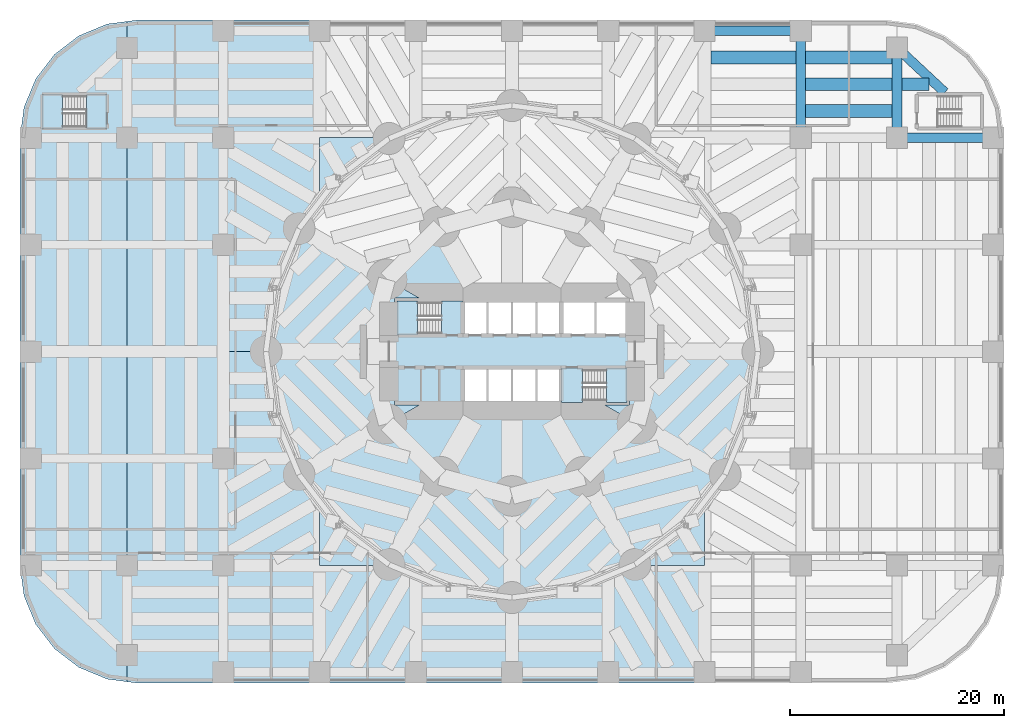
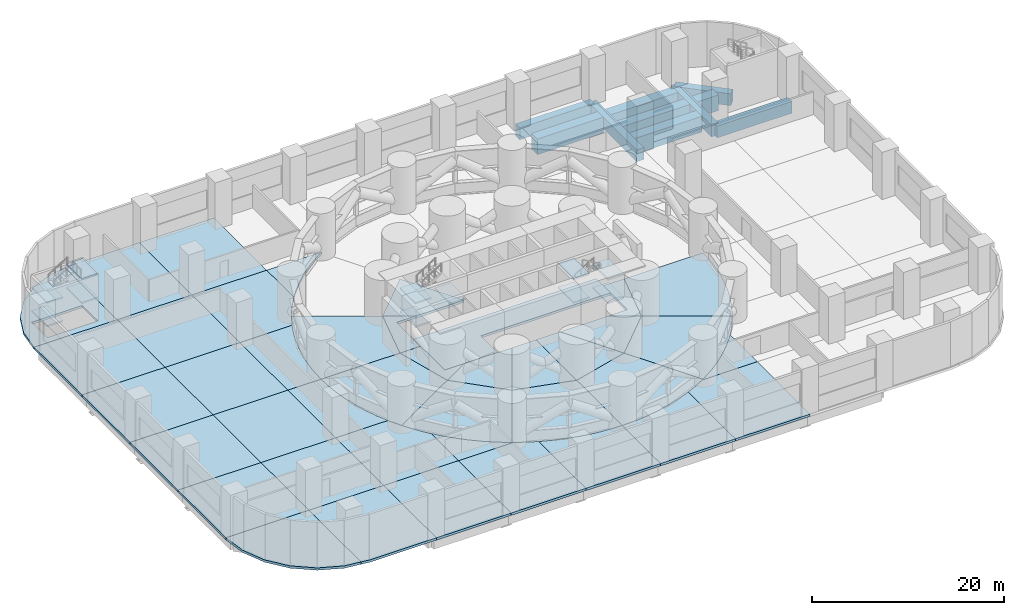
# One storey, part 7 of 14: 52 slabs, 10 beams, 3 elements without a shape of their own.
"""IFC4 building model written with IfcOpenShell, lengths in metres."""

from ifc_helpers import new_model, si_unit, direction, frame, origin, origin_2d, place, context, subcontext, project, spatial, polyline, rectangle, outline, extrude, material, layer, layer_set, material_profile, profile_set, type_object, element, aggregate, save


model = new_model("IFC4")

# Units and contexts
model_context = context("Model", 3, precision=1e-05, world=origin(), true_north=direction((0.0, 1.0)))
body_context = subcontext(model_context, "Body", "Model", "MODEL_VIEW")
ifc_project = project(units=[si_unit("LENGTHUNIT", "METRE"), si_unit("AREAUNIT", "SQUARE_METRE"), si_unit("VOLUMEUNIT", "CUBIC_METRE"), si_unit("PLANEANGLEUNIT", "RADIAN"), si_unit("MASSUNIT", "GRAM", prefix="KILO")], contexts=[model_context])

# Site, building, storey
site_placement = place(None, origin())
site = spatial("IfcSite", under=ifc_project, at=site_placement, CompositionType="ELEMENT")
building_placement = place(site_placement, origin())
building = spatial("IfcBuilding", under=site, at=building_placement, Name="Qaws Media Tower", CompositionType="ELEMENT")
storey_placement = place(building_placement, frame((0.0, 0.0, 20.0)))
storey = spatial("IfcBuildingStorey", under=building, at=storey_placement, Name="L03", CompositionType="ELEMENT", Elevation=20.0)

# Beams
ifc_material_1 = material(Name="Concrete C60/75", Category="concrete")
ifc_material_profile_1 = material_profile(ifc_material_1, rectangle(XDim=0.89990234375, YDim=1.5, at=origin_2d()), Name="RC 900x1500")
ifc_profile_set_1 = profile_set([ifc_material_profile_1], Name="Concrete C60/75")
beam_type_1 = type_object("IfcBeamType", Name="Podium plant floor girder RC 900x1500", PredefinedType="BEAM", material=ifc_profile_set_1)
for number, where, z_axis, x_axis, name in (
    (1, (96.0, 70.0, -1.050048828125), (1.0, 0.0, 0.0), (0.0, 1.0, 0.0), "PB6 beam 10-11/F"),
    (2, (78.0, 80.0, -1.050048828125), (1.0, 0.0, 0.0), (0.0, 1.0, 0.0), "PB6 beam 8-9/G"),
):
    element("IfcBeam", number, at=place(storey_placement, frame(where, z_axis=z_axis, x_axis=x_axis)), inside=storey, type_object=beam_type_1, Name=name, PredefinedType="BEAM", context=body_context, shape_type="SweptSolid", body=[
        extrude(rectangle(XDim=0.89990234375, YDim=1.5, at=origin_2d()), origin(), (0.0, 0.0, 1.0), 9.0),
    ])
beam_1_placement = place(storey_placement, frame((87.0, 70.0, -1.050048828125), z_axis=(0.0, 1.0, 0.0), x_axis=(-1.0, 0.0, 0.0)))
element("IfcBeam", 3, at=beam_1_placement, inside=storey, type_object=beam_type_1, Name="PB6 beam 9/F-G", PredefinedType="BEAM", context=body_context, shape_type="SweptSolid", body=[
    extrude(rectangle(XDim=0.89990234375, YDim=1.5, at=origin_2d()), origin(), (0.0, 0.0, 1.0), 10.0),
])
beam_2_placement = place(storey_placement, frame((96.0, 70.0, -1.050048828125), z_axis=(0.0, 1.0, 0.0), x_axis=(-1.0, 0.0, 0.0)))
element("IfcBeam", 4, at=beam_2_placement, inside=storey, type_object=beam_type_1, Name="PB6 beam 10/F-G", PredefinedType="BEAM", context=body_context, shape_type="SweptSolid", body=[
    extrude(rectangle(XDim=0.89990234375, YDim=1.5, at=origin_2d()), origin(), (0.0, 0.0, 1.0), 8.39990234375),
])
beam_3_placement = place(storey_placement, frame((100.46337890625, 74.234130859375, -1.050048828125), z_axis=(-0.731059257525, 0.682313976105, 0.0), x_axis=(-0.682313976105, -0.731059257525, 0.0)))
element("IfcBeam", 5, at=beam_3_placement, inside=storey, type_object=beam_type_1, Name="PB6 beam S4-10/G", PredefinedType="BEAM", context=body_context, shape_type="SweptSolid", body=[
    extrude(rectangle(XDim=0.89990234375, YDim=1.5, at=origin_2d()), origin(), (0.0, 0.0, 1.0), 6.10546875),
])
ifc_material_2 = material(Name="Concrete C60/75", Category="concrete")
ifc_material_profile_2 = material_profile(ifc_material_2, rectangle(XDim=1.199951171875, YDim=2.0, at=origin_2d()), Name="RC 1200x2000")
ifc_profile_set_2 = profile_set([ifc_material_profile_2], Name="Concrete C60/75")
beam_type_2 = type_object("IfcBeamType", Name="Podium secondary beam RC 1200x2000", PredefinedType="BEAM", material=ifc_profile_set_2)
beam_4_placement = place(storey_placement, frame((78.60009765625, 77.5, -1.300048828125), z_axis=(1.0, 0.0, 0.0), x_axis=(0.0, 1.0, 0.0)))
element("IfcBeam", 6, at=beam_4_placement, inside=storey, type_object=beam_type_2, Name="PB7 beam bay 8F line 3", PredefinedType="BEAM", context=body_context, shape_type="SweptSolid", body=[
    extrude(rectangle(XDim=1.199951171875, YDim=2.0, at=origin_2d()), origin(), (0.0, 0.0, 1.0), 7.949951171875),
])
for number, where, z_axis, x_axis, name in (
    (7, (87.449951171875, 72.5, -1.300048828125), (1.0, 0.0, 0.0), (0.0, 1.0, 0.0), "PB7 beam bay 9F line 1"),
    (8, (87.449951171875, 75.0, -1.300048828125), (1.0, 0.0, 0.0), (0.0, 1.0, 0.0), "PB7 beam bay 9F line 2"),
    (9, (87.449951171875, 77.5, -1.300048828125), (1.0, 0.0, 0.0), (0.0, 1.0, 0.0), "PB7 beam bay 9F line 3"),
):
    element("IfcBeam", number, at=place(storey_placement, frame(where, z_axis=z_axis, x_axis=x_axis)), inside=storey, type_object=beam_type_2, Name=name, PredefinedType="BEAM", context=body_context, shape_type="SweptSolid", body=[
        extrude(rectangle(XDim=1.199951171875, YDim=2.0, at=origin_2d()), origin(), (0.0, 0.0, 1.0), 8.10009765625),
    ])
beam_5_placement = place(storey_placement, frame((96.449951171875, 75.0, -1.300048828125), z_axis=(1.0, 0.0, 0.0), x_axis=(0.0, 1.0, 0.0)))
element("IfcBeam", 10, at=beam_5_placement, inside=storey, type_object=beam_type_2, Name="PB7 beam bay 10F line 1", PredefinedType="BEAM", context=body_context, shape_type="SweptSolid", body=[
    extrude(rectangle(XDim=1.199951171875, YDim=2.0, at=origin_2d()), origin(), (0.0, 0.0, 1.0), 2.533447265625),
])

# Slabs
ifc_material_3 = material(Name="Concrete C40/50", Category="concrete")
ifc_layer_1 = layer(ifc_material_3, 0.300048828125)
ifc_layer_set_1 = layer_set([ifc_layer_1], Name="Podium slab 300")
slab_type_1 = type_object("IfcSlabType", Name="Podium slab 300", PredefinedType="FLOOR", material=ifc_layer_set_1)
slab_1_placement = place(storey_placement, frame((0.0, 0.0, -0.300048828125)))
element("IfcSlab", 11, at=slab_1_placement, inside=storey, type_object=slab_type_1, Name="S3 slab L03 bay 1-2/A-B", PredefinedType="FLOOR", context=body_context, shape_type="SweptSolid", body=[
    extrude(outline(polyline([(17.2216796875, 22.2216796875), (15.4736328125, 24.5), (14.374755859375, 27.153076171875), (14.0, 30.0), (24.0, 30.0), (24.0, 19.131591796875), (22.153076171875, 19.374755859375), (19.5, 20.4736328125), (17.2216796875, 22.2216796875)])), origin(), (0.0, 0.0, 1.0), 0.300048828125),
])
slab_2_placement = place(storey_placement, frame((0.0, 0.0, -0.300048828125)))
element("IfcSlab", 12, at=slab_2_placement, inside=storey, type_object=slab_type_1, Name="S3 slab L03 bay 1-2/B-C", PredefinedType="FLOOR", context=body_context, shape_type="SweptSolid", body=[
    extrude(outline(polyline([(14.0, 40.0), (24.0, 40.0), (24.0, 30.0), (14.0, 30.0), (14.0, 40.0)])), origin(), (0.0, 0.0, 1.0), 0.300048828125),
])
slab_3_placement = place(storey_placement, frame((0.0, 0.0, -0.300048828125)))
element("IfcSlab", 13, at=slab_3_placement, inside=storey, type_object=slab_type_1, Name="S3 slab L03 bay 1-2/C-D", PredefinedType="FLOOR", context=body_context, shape_type="SweptSolid", body=[
    extrude(outline(polyline([(14.0, 50.0), (24.0, 50.0), (24.0, 40.0), (14.0, 40.0), (14.0, 50.0)])), origin(), (0.0, 0.0, 1.0), 0.300048828125),
])
slab_4_placement = place(storey_placement, frame((0.0, 0.0, -0.300048828125)))
element("IfcSlab", 14, at=slab_4_placement, inside=storey, type_object=slab_type_1, Name="S3 slab L03 bay 1-2/D-E", PredefinedType="FLOOR", context=body_context, shape_type="SweptSolid", body=[
    extrude(outline(polyline([(14.0, 60.0), (24.0, 60.0), (24.0, 50.0), (14.0, 50.0), (14.0, 60.0)])), origin(), (0.0, 0.0, 1.0), 0.300048828125),
])
slab_5_placement = place(storey_placement, frame((0.0, 0.0, -0.300048828125)))
element("IfcSlab", 15, at=slab_5_placement, inside=storey, type_object=slab_type_1, Name="S3 slab L03 bay 1-2/E-F", PredefinedType="FLOOR", context=body_context, shape_type="SweptSolid", body=[
    extrude(outline(polyline([(14.0, 70.0), (24.0, 70.0), (24.0, 60.0), (14.0, 60.0), (14.0, 70.0)])), origin(), (0.0, 0.0, 1.0), 0.300048828125),
])
slab_6_placement = place(storey_placement, frame((0.0, 0.0, -0.300048828125)))
element("IfcSlab", 16, at=slab_6_placement, inside=storey, type_object=slab_type_1, Name="S3 slab L03 bay 1-2/F-G", PredefinedType="FLOOR", context=body_context, shape_type="SweptSolid", body=[
    extrude(outline(polyline([(14.374755859375, 72.846923828125), (15.4736328125, 75.5), (17.2216796875, 77.7783203125), (19.5, 79.5263671875), (22.153076171875, 80.625244140625), (24.0, 80.868408203125), (24.0, 70.0), (14.0, 70.0), (14.374755859375, 72.846923828125)]), holes=[polyline([(16.050048828125, 70.85009765625), (22.14990234375, 70.85009765625), (22.14990234375, 74.050048828125), (16.050048828125, 74.050048828125), (16.050048828125, 70.85009765625)])]), origin(), (0.0, 0.0, 1.0), 0.300048828125),
])
slab_7_placement = place(storey_placement, frame((0.0, 0.0, -0.300048828125)))
element("IfcSlab", 17, at=slab_7_placement, inside=storey, type_object=slab_type_1, Name="S3 slab L03 bay 2-3/A-B", PredefinedType="FLOOR", context=body_context, shape_type="SweptSolid", body=[
    extrude(outline(polyline([(25.0, 19.0), (24.0, 19.131591796875), (24.0, 30.0), (33.0, 30.0), (33.0, 19.0), (25.0, 19.0)])), origin(), (0.0, 0.0, 1.0), 0.300048828125),
])
slab_8_placement = place(storey_placement, frame((0.0, 0.0, -0.300048828125)))
element("IfcSlab", 18, at=slab_8_placement, inside=storey, type_object=slab_type_1, Name="S3 slab L03 bay 2-3/B-C", PredefinedType="FLOOR", context=body_context, shape_type="SweptSolid", body=[
    extrude(outline(polyline([(24.0, 30.0), (24.0, 40.0), (33.0, 40.0), (33.0, 30.0), (24.0, 30.0)])), origin(), (0.0, 0.0, 1.0), 0.300048828125),
])
slab_9_placement = place(storey_placement, frame((0.0, 0.0, -0.300048828125)))
element("IfcSlab", 19, at=slab_9_placement, inside=storey, type_object=slab_type_1, Name="S3 slab L03 bay 2-3/C-D", PredefinedType="FLOOR", context=body_context, shape_type="SweptSolid", body=[
    extrude(outline(polyline([(24.0, 40.0), (24.0, 50.0), (33.0, 50.0), (33.0, 40.0), (24.0, 40.0)])), origin(), (0.0, 0.0, 1.0), 0.300048828125),
])
slab_10_placement = place(storey_placement, frame((0.0, 0.0, -0.300048828125)))
element("IfcSlab", 20, at=slab_10_placement, inside=storey, type_object=slab_type_1, Name="S3 slab L03 bay 2-3/D-E", PredefinedType="FLOOR", context=body_context, shape_type="SweptSolid", body=[
    extrude(outline(polyline([(24.0, 50.0), (24.0, 60.0), (33.0, 60.0), (33.0, 50.0), (24.0, 50.0)])), origin(), (0.0, 0.0, 1.0), 0.300048828125),
])
slab_11_placement = place(storey_placement, frame((0.0, 0.0, -0.300048828125)))
element("IfcSlab", 21, at=slab_11_placement, inside=storey, type_object=slab_type_1, Name="S3 slab L03 bay 2-3/E-F", PredefinedType="FLOOR", context=body_context, shape_type="SweptSolid", body=[
    extrude(outline(polyline([(24.0, 60.0), (24.0, 70.0), (33.0, 70.0), (33.0, 60.0), (24.0, 60.0)])), origin(), (0.0, 0.0, 1.0), 0.300048828125),
])
slab_12_placement = place(storey_placement, frame((0.0, 0.0, -0.300048828125)))
element("IfcSlab", 22, at=slab_12_placement, inside=storey, type_object=slab_type_1, Name="S3 slab L03 bay 2-3/F-G", PredefinedType="FLOOR", context=body_context, shape_type="SweptSolid", body=[
    extrude(outline(polyline([(25.0, 81.0), (33.0, 81.0), (33.0, 70.0), (24.0, 70.0), (24.0, 80.868408203125), (25.0, 81.0)])), origin(), (0.0, 0.0, 1.0), 0.300048828125),
])
slab_13_placement = place(storey_placement, frame((0.0, 0.0, -0.300048828125)))
element("IfcSlab", 23, at=slab_13_placement, inside=storey, type_object=slab_type_1, Name="S3 slab L03 bay 3-4/A-B", PredefinedType="FLOOR", context=body_context, shape_type="SweptSolid", body=[
    extrude(outline(polyline([(33.0, 19.0), (33.0, 30.0), (42.0, 30.0), (42.0, 19.0), (33.0, 19.0)])), origin(), (0.0, 0.0, 1.0), 0.300048828125),
])
slab_14_placement = place(storey_placement, frame((0.0, 0.0, -0.300048828125)))
element("IfcSlab", 24, at=slab_14_placement, inside=storey, type_object=slab_type_1, Name="S3 slab L03 bay 3-4/B-C", PredefinedType="FLOOR", context=body_context, shape_type="SweptSolid", body=[
    extrude(outline(polyline([(39.371826171875, 39.827392578125), (40.081298828125, 38.5), (40.876220703125, 37.221923828125), (41.7529296875, 35.99853515625), (42.0, 35.697509765625), (42.0, 30.0), (33.0, 30.0), (33.0, 40.0), (39.293701171875, 40.0), (39.371826171875, 39.827392578125)])), origin(), (0.0, 0.0, 1.0), 0.300048828125),
])
slab_15_placement = place(storey_placement, frame((0.0, 0.0, -0.300048828125)))
element("IfcSlab", 25, at=slab_15_placement, inside=storey, type_object=slab_type_1, Name="S3 slab L03 bay 3-4/C-D", PredefinedType="FLOOR", context=body_context, shape_type="SweptSolid", body=[
    extrude(outline(polyline([(37.04931640625, 48.49560546875), (37.19677734375, 46.997802734375), (37.44189453125, 45.512939453125), (37.78369140625, 44.047119140625), (38.220703125, 42.60693359375), (38.750732421875, 41.1982421875), (39.293701171875, 40.0), (33.0, 40.0), (33.0, 50.0), (37.0, 50.0), (37.04931640625, 48.49560546875)])), origin(), (0.0, 0.0, 1.0), 0.300048828125),
])
slab_16_placement = place(storey_placement, frame((0.0, 0.0, -0.300048828125)))
element("IfcSlab", 26, at=slab_16_placement, inside=storey, type_object=slab_type_1, Name="S3 slab L03 bay 3-4/D-E", PredefinedType="FLOOR", context=body_context, shape_type="SweptSolid", body=[
    extrude(outline(polyline([(38.750732421875, 58.8017578125), (38.220703125, 57.39306640625), (37.78369140625, 55.952880859375), (37.44189453125, 54.487060546875), (37.19677734375, 53.002197265625), (37.04931640625, 51.50439453125), (37.0, 50.0), (33.0, 50.0), (33.0, 60.0), (39.293701171875, 60.0), (38.750732421875, 58.8017578125)])), origin(), (0.0, 0.0, 1.0), 0.300048828125),
])
slab_17_placement = place(storey_placement, frame((0.0, 0.0, -0.300048828125)))
element("IfcSlab", 27, at=slab_17_placement, inside=storey, type_object=slab_type_1, Name="S3 slab L03 bay 3-4/E-F", PredefinedType="FLOOR", context=body_context, shape_type="SweptSolid", body=[
    extrude(outline(polyline([(41.7529296875, 64.00146484375), (40.876220703125, 62.778076171875), (40.081298828125, 61.5), (39.371826171875, 60.172607421875), (39.293701171875, 60.0), (33.0, 60.0), (33.0, 70.0), (42.0, 70.0), (42.0, 64.302490234375), (41.7529296875, 64.00146484375)])), origin(), (0.0, 0.0, 1.0), 0.300048828125),
])
slab_18_placement = place(storey_placement, frame((0.0, 0.0, -0.300048828125)))
element("IfcSlab", 28, at=slab_18_placement, inside=storey, type_object=slab_type_1, Name="S3 slab L03 bay 3-4/F-G", PredefinedType="FLOOR", context=body_context, shape_type="SweptSolid", body=[
    extrude(outline(polyline([(42.0, 81.0), (42.0, 70.0), (33.0, 70.0), (33.0, 81.0), (42.0, 81.0)])), origin(), (0.0, 0.0, 1.0), 0.300048828125),
])
slab_19_placement = place(storey_placement, frame((0.0, 0.0, -0.300048828125)))
element("IfcSlab", 29, at=slab_19_placement, inside=storey, type_object=slab_type_1, Name="S3 slab L03 bay 4-5/A-B", PredefinedType="FLOOR", context=body_context, shape_type="SweptSolid", body=[
    extrude(outline(polyline([(42.0, 19.0), (42.0, 30.0), (48.65234375, 30.0), (49.827392578125, 29.371826171875), (51.0, 28.840576171875), (51.0, 19.0), (42.0, 19.0)])), origin(), (0.0, 0.0, 1.0), 0.300048828125),
])
slab_20_placement = place(storey_placement, frame((0.0, 0.0, -0.300048828125)))
element("IfcSlab", 30, at=slab_20_placement, inside=storey, type_object=slab_type_1, Name="S3 slab L03 bay 4-5/B-C", PredefinedType="FLOOR", context=body_context, shape_type="SweptSolid", body=[
    extrude(outline(polyline([(42.707763671875, 34.8349609375), (43.736572265625, 33.736572265625), (44.8349609375, 32.707763671875), (45.99853515625, 31.7529296875), (47.221923828125, 30.876220703125), (48.5, 30.081298828125), (48.65234375, 30.0), (42.0, 30.0), (42.0, 35.697509765625), (42.707763671875, 34.8349609375)])), origin(), (0.0, 0.0, 1.0), 0.300048828125),
])
slab_21_placement = place(storey_placement, frame((0.0, 0.0, -0.300048828125)))
element("IfcSlab", 31, at=slab_21_placement, inside=storey, type_object=slab_type_1, Name="S3 slab L03 bay 4-5/E-F", PredefinedType="FLOOR", context=body_context, shape_type="SweptSolid", body=[
    extrude(outline(polyline([(48.5, 69.918701171875), (47.221923828125, 69.123779296875), (45.99853515625, 68.2470703125), (44.8349609375, 67.292236328125), (43.736572265625, 66.263427734375), (42.707763671875, 65.1650390625), (42.0, 64.302490234375), (42.0, 70.0), (48.65234375, 70.0), (48.5, 69.918701171875)])), origin(), (0.0, 0.0, 1.0), 0.300048828125),
])
slab_22_placement = place(storey_placement, frame((0.0, 0.0, -0.300048828125)))
element("IfcSlab", 32, at=slab_22_placement, inside=storey, type_object=slab_type_1, Name="S3 slab L03 bay 5-6/A-B", PredefinedType="FLOOR", context=body_context, shape_type="SweptSolid", body=[
    extrude(outline(polyline([(51.0, 19.0), (51.0, 28.840576171875), (51.1982421875, 28.750732421875), (52.60693359375, 28.220703125), (54.047119140625, 27.78369140625), (55.512939453125, 27.44189453125), (56.997802734375, 27.19677734375), (58.49560546875, 27.04931640625), (60.0, 27.0), (60.0, 19.0), (51.0, 19.0)])), origin(), (0.0, 0.0, 1.0), 0.300048828125),
])
slab_23_placement = place(storey_placement, frame((0.0, 0.0, -0.300048828125)))
element("IfcSlab", 33, at=slab_23_placement, inside=storey, type_object=slab_type_1, Name="S3 slab L03 bay 6-7/A-B", PredefinedType="FLOOR", context=body_context, shape_type="SweptSolid", body=[
    extrude(outline(polyline([(60.0, 19.0), (60.0, 27.0), (61.50439453125, 27.04931640625), (63.002197265625, 27.19677734375), (64.487060546875, 27.44189453125), (65.952880859375, 27.78369140625), (67.39306640625, 28.220703125), (68.8017578125, 28.750732421875), (69.0, 28.840576171875), (69.0, 19.0), (60.0, 19.0)])), origin(), (0.0, 0.0, 1.0), 0.300048828125),
])
slab_24_placement = place(storey_placement, frame((0.0, 0.0, -0.300048828125)))
element("IfcSlab", 34, at=slab_24_placement, inside=storey, type_object=slab_type_1, Name="S3 slab L03 bay 7-8/A-B", PredefinedType="FLOOR", context=body_context, shape_type="SweptSolid", body=[
    extrude(outline(polyline([(69.0, 19.0), (69.0, 28.840576171875), (70.172607421875, 29.371826171875), (71.34765625, 30.0), (78.0, 30.0), (78.0, 19.0), (69.0, 19.0)])), origin(), (0.0, 0.0, 1.0), 0.300048828125),
])
slab_25_placement = place(storey_placement, frame((0.0, 0.0, -0.300048828125)))
element("IfcSlab", 35, at=slab_25_placement, inside=storey, type_object=slab_type_1, Name="S3 slab L03 bay 7-8/B-C", PredefinedType="FLOOR", context=body_context, shape_type="SweptSolid", body=[
    extrude(outline(polyline([(71.5, 30.081298828125), (72.778076171875, 30.876220703125), (74.00146484375, 31.7529296875), (75.1650390625, 32.707763671875), (76.263427734375, 33.736572265625), (77.292236328125, 34.8349609375), (78.0, 35.697509765625), (78.0, 30.0), (71.34765625, 30.0), (71.5, 30.081298828125)])), origin(), (0.0, 0.0, 1.0), 0.300048828125),
])
slab_26_placement = place(storey_placement, frame((0.0, 0.0, -0.300048828125)))
element("IfcSlab", 36, at=slab_26_placement, inside=storey, type_object=slab_type_1, Name="S3 slab L03 tower sector R09-R11 inner", PredefinedType="FLOOR", context=body_context, shape_type="SweptSolid", body=[
    extrude(outline(polyline([(57.11328125, 55.0), (51.339599609375, 55.0), (48.30859375, 56.75), (53.25, 61.69140625), (57.11328125, 55.0)])), origin(), (0.0, 0.0, 1.0), 0.300048828125),
])
slab_27_placement = place(storey_placement, frame((0.0, 0.0, -0.300048828125)))
element("IfcSlab", 37, at=slab_27_placement, inside=storey, type_object=slab_type_1, Name="S3 slab L03 tower sector R11-R13 outer", PredefinedType="FLOOR", context=body_context, shape_type="SweptSolid", body=[
    extrude(outline(polyline([(38.750732421875, 58.8017578125), (39.371826171875, 60.172607421875), (40.081298828125, 61.5), (48.30859375, 56.75), (46.5, 50.0), (37.0, 50.0), (37.04931640625, 51.50439453125), (37.19677734375, 53.002197265625), (37.44189453125, 54.487060546875), (37.78369140625, 55.952880859375), (38.220703125, 57.39306640625), (38.750732421875, 58.8017578125)])), origin(), (0.0, 0.0, 1.0), 0.300048828125),
])
slab_28_placement = place(storey_placement, frame((0.0, 0.0, -0.300048828125)))
element("IfcSlab", 38, at=slab_28_placement, inside=storey, type_object=slab_type_1, Name="S3 slab L03 tower sector R11-R13 inner", PredefinedType="FLOOR", context=body_context, shape_type="SweptSolid", body=[
    extrude(outline(polyline([(51.339599609375, 55.0), (49.0, 55.0), (49.0, 50.0), (46.5, 50.0), (48.30859375, 56.75), (51.339599609375, 55.0)])), origin(), (0.0, 0.0, 1.0), 0.300048828125),
])
slab_29_placement = place(storey_placement, frame((0.0, 0.0, -0.300048828125)))
element("IfcSlab", 39, at=slab_29_placement, inside=storey, type_object=slab_type_1, Name="S3 slab L03 tower sector R13-R15 outer", PredefinedType="FLOOR", context=body_context, shape_type="SweptSolid", body=[
    extrude(outline(polyline([(37.19677734375, 46.997802734375), (37.04931640625, 48.49560546875), (37.0, 50.0), (46.5, 50.0), (48.30859375, 43.25), (40.081298828125, 38.5), (39.371826171875, 39.827392578125), (38.750732421875, 41.1982421875), (38.220703125, 42.60693359375), (37.78369140625, 44.047119140625), (37.44189453125, 45.512939453125), (37.19677734375, 46.997802734375)])), origin(), (0.0, 0.0, 1.0), 0.300048828125),
])
slab_30_placement = place(storey_placement, frame((0.0, 0.0, -0.300048828125)))
element("IfcSlab", 40, at=slab_30_placement, inside=storey, type_object=slab_type_1, Name="S3 slab L03 tower sector R13-R15 inner", PredefinedType="FLOOR", context=body_context, shape_type="SweptSolid", body=[
    extrude(outline(polyline([(49.0, 50.0), (49.0, 45.0), (51.339599609375, 45.0), (48.30859375, 43.25), (46.5, 50.0), (49.0, 50.0)])), origin(), (0.0, 0.0, 1.0), 0.300048828125),
])
slab_31_placement = place(storey_placement, frame((0.0, 0.0, -0.300048828125)))
element("IfcSlab", 41, at=slab_31_placement, inside=storey, type_object=slab_type_1, Name="S3 slab L03 tower sector R15-R17 outer", PredefinedType="FLOOR", context=body_context, shape_type="SweptSolid", body=[
    extrude(outline(polyline([(41.7529296875, 35.99853515625), (40.876220703125, 37.221923828125), (40.081298828125, 38.5), (48.30859375, 43.25), (53.25, 38.30859375), (48.5, 30.081298828125), (47.221923828125, 30.876220703125), (45.99853515625, 31.7529296875), (44.8349609375, 32.707763671875), (43.736572265625, 33.736572265625), (42.707763671875, 34.8349609375), (41.7529296875, 35.99853515625)])), origin(), (0.0, 0.0, 1.0), 0.300048828125),
])
slab_32_placement = place(storey_placement, frame((0.0, 0.0, -0.300048828125)))
element("IfcSlab", 42, at=slab_32_placement, inside=storey, type_object=slab_type_1, Name="S3 slab L03 tower sector R15-R17 inner", PredefinedType="FLOOR", context=body_context, shape_type="SweptSolid", body=[
    extrude(outline(polyline([(51.339599609375, 45.0), (57.11328125, 45.0), (53.25, 38.30859375), (48.30859375, 43.25), (51.339599609375, 45.0)])), origin(), (0.0, 0.0, 1.0), 0.300048828125),
])
slab_33_placement = place(storey_placement, frame((0.0, 0.0, -0.300048828125)))
element("IfcSlab", 43, at=slab_33_placement, inside=storey, type_object=slab_type_1, Name="S3 slab L03 tower sector R17-R19 outer", PredefinedType="FLOOR", context=body_context, shape_type="SweptSolid", body=[
    extrude(outline(polyline([(51.1982421875, 28.750732421875), (49.827392578125, 29.371826171875), (48.5, 30.081298828125), (53.25, 38.30859375), (60.0, 36.5), (60.0, 27.0), (58.49560546875, 27.04931640625), (56.997802734375, 27.19677734375), (55.512939453125, 27.44189453125), (54.047119140625, 27.78369140625), (52.60693359375, 28.220703125), (51.1982421875, 28.750732421875)])), origin(), (0.0, 0.0, 1.0), 0.300048828125),
])
slab_34_placement = place(storey_placement, frame((0.0, 0.0, -0.300048828125)))
element("IfcSlab", 44, at=slab_34_placement, inside=storey, type_object=slab_type_1, Name="S3 slab L03 tower sector R17-R19 inner", PredefinedType="FLOOR", context=body_context, shape_type="SweptSolid", body=[
    extrude(outline(polyline([(57.11328125, 45.0), (60.0, 45.0), (60.0, 36.5), (53.25, 38.30859375), (57.11328125, 45.0)])), origin(), (0.0, 0.0, 1.0), 0.300048828125),
])
slab_35_placement = place(storey_placement, frame((0.0, 0.0, -0.300048828125)))
element("IfcSlab", 45, at=slab_35_placement, inside=storey, type_object=slab_type_1, Name="S3 slab L03 tower sector R19-R21 outer", PredefinedType="FLOOR", context=body_context, shape_type="SweptSolid", body=[
    extrude(outline(polyline([(63.002197265625, 27.19677734375), (61.50439453125, 27.04931640625), (60.0, 27.0), (60.0, 36.5), (66.75, 38.30859375), (71.5, 30.081298828125), (70.172607421875, 29.371826171875), (68.8017578125, 28.750732421875), (67.39306640625, 28.220703125), (65.952880859375, 27.78369140625), (64.487060546875, 27.44189453125), (63.002197265625, 27.19677734375)])), origin(), (0.0, 0.0, 1.0), 0.300048828125),
])
slab_36_placement = place(storey_placement, frame((0.0, 0.0, -0.300048828125)))
element("IfcSlab", 46, at=slab_36_placement, inside=storey, type_object=slab_type_1, Name="S3 slab L03 tower sector R19-R21 inner", PredefinedType="FLOOR", context=body_context, shape_type="SweptSolid", body=[
    extrude(outline(polyline([(60.0, 45.0), (62.88671875, 45.0), (66.75, 38.30859375), (60.0, 36.5), (60.0, 45.0)])), origin(), (0.0, 0.0, 1.0), 0.300048828125),
])
slab_37_placement = place(storey_placement, frame((0.0, 0.0, -0.300048828125)))
element("IfcSlab", 47, at=slab_37_placement, inside=storey, type_object=slab_type_1, Name="S3 slab L03 tower sector R21-R23 outer", PredefinedType="FLOOR", context=body_context, shape_type="SweptSolid", body=[
    extrude(outline(polyline([(74.00146484375, 31.7529296875), (72.778076171875, 30.876220703125), (71.5, 30.081298828125), (66.75, 38.30859375), (71.69140625, 43.25), (79.918701171875, 38.5), (79.123779296875, 37.221923828125), (78.2470703125, 35.99853515625), (77.292236328125, 34.8349609375), (76.263427734375, 33.736572265625), (75.1650390625, 32.707763671875), (74.00146484375, 31.7529296875)])), origin(), (0.0, 0.0, 1.0), 0.300048828125),
])
slab_38_placement = place(storey_placement, frame((0.0, 0.0, -0.300048828125)))
element("IfcSlab", 48, at=slab_38_placement, inside=storey, type_object=slab_type_1, Name="S3 slab L03 tower sector R21-R23 inner", PredefinedType="FLOOR", context=body_context, shape_type="SweptSolid", body=[
    extrude(outline(polyline([(62.88671875, 45.0), (68.660400390625, 45.0), (71.69140625, 43.25), (66.75, 38.30859375), (62.88671875, 45.0)])), origin(), (0.0, 0.0, 1.0), 0.300048828125),
])
slab_39_placement = place(storey_placement, frame((0.0, 0.0, -0.300048828125)))
element("IfcSlab", 49, at=slab_39_placement, inside=storey, type_object=slab_type_1, Name="S3 slab L03 tower sector R23-R01 outer", PredefinedType="FLOOR", context=body_context, shape_type="SweptSolid", body=[
    extrude(outline(polyline([(81.249267578125, 41.1982421875), (80.628173828125, 39.827392578125), (79.918701171875, 38.5), (71.69140625, 43.25), (73.5, 50.0), (83.0, 50.0), (82.95068359375, 48.49560546875), (82.80322265625, 46.997802734375), (82.55810546875, 45.512939453125), (82.21630859375, 44.047119140625), (81.779296875, 42.60693359375), (81.249267578125, 41.1982421875)])), origin(), (0.0, 0.0, 1.0), 0.300048828125),
])
slab_40_placement = place(storey_placement, frame((0.0, 0.0, -0.300048828125)))
element("IfcSlab", 50, at=slab_40_placement, inside=storey, type_object=slab_type_1, Name="S3 slab L03 tower sector R23-R01 inner", PredefinedType="FLOOR", context=body_context, shape_type="SweptSolid", body=[
    extrude(outline(polyline([(68.660400390625, 45.0), (71.0, 45.0), (71.0, 50.0), (73.5, 50.0), (71.69140625, 43.25), (68.660400390625, 45.0)])), origin(), (0.0, 0.0, 1.0), 0.300048828125),
])
slab_41_placement = place(storey_placement, frame((0.0, 0.0, -0.300048828125)))
element("IfcSlab", 51, at=slab_41_placement, inside=storey, type_object=slab_type_1, Name="S3 core floor slab L03", PredefinedType="FLOOR", context=body_context, shape_type="SweptSolid", body=[
    extrude(outline(polyline([(55.39990234375, 48.5), (55.39990234375, 45.0), (49.0, 45.0), (49.0, 51.5), (71.0, 51.5), (71.0, 48.5), (55.39990234375, 48.5)])), origin(), (0.0, 0.0, 1.0), 0.300048828125),
])

# Stair, slabs
ifc_material_4 = material(Name="Concrete C40/50", Category="concrete")
stair_type = type_object("IfcStairType", Name="Exit stair", PredefinedType="HALF_TURN_STAIR", material=ifc_material_4)
stair_1_placement = place(storey_placement, origin())
stair_1 = element("IfcStair", 52, at=stair_1_placement, inside=storey, type_object=stair_type, Name="S1 exit stair L03", PredefinedType="HALF_TURN_STAIR")
ifc_material_5 = material(Name="Concrete C40/50", Category="concrete")
ifc_layer_2 = layer(ifc_material_5, 0.199951171875)
ifc_layer_set_2 = layer_set([ifc_layer_2], Name="Stair landing 200")
slab_type_2 = type_object("IfcSlabType", Name="Stair landing 200", PredefinedType="LANDING", material=ifc_layer_set_2)
slab_42_placement = place(storey_placement, frame((0.0, 0.0, 1.300048828125)))
slab_42 = element("IfcSlab", 53, at=slab_42_placement, type_object=slab_type_2, Name="S1 landing 1", PredefinedType="LANDING", context=body_context, shape_type="SweptSolid", body=[
    extrude(outline(polyline([(49.25, 51.550048828125), (51.179931640625, 51.550048828125), (51.179931640625, 54.75), (49.25, 54.75), (49.25, 51.550048828125)])), origin(), (0.0, 0.0, 1.0), 0.199951171875),
])
slab_43_placement = place(storey_placement, frame((0.0, 0.0, 2.800048828125)))
slab_43 = element("IfcSlab", 54, at=slab_43_placement, type_object=slab_type_2, Name="S1 landing 2", PredefinedType="LANDING", context=body_context, shape_type="SweptSolid", body=[
    extrude(outline(polyline([(53.419921875, 51.550048828125), (55.35009765625, 51.550048828125), (55.35009765625, 54.75), (53.419921875, 54.75), (53.419921875, 51.550048828125)])), origin(), (0.0, 0.0, 1.0), 0.199951171875),
])
slab_44_placement = place(storey_placement, frame((0.0, 0.0, 4.300048828125)))
slab_44 = element("IfcSlab", 55, at=slab_44_placement, type_object=slab_type_2, Name="S1 landing 3", PredefinedType="LANDING", context=body_context, shape_type="SweptSolid", body=[
    extrude(outline(polyline([(49.25, 51.550048828125), (51.179931640625, 51.550048828125), (51.179931640625, 54.75), (49.25, 54.75), (49.25, 51.550048828125)])), origin(), (0.0, 0.0, 1.0), 0.199951171875),
])
aggregate(stair_1, [slab_42, slab_43, slab_44])

stair_2_placement = place(storey_placement, origin())
stair_2 = element("IfcStair", 56, at=stair_2_placement, inside=storey, type_object=stair_type, Name="S2 exit stair L03", PredefinedType="HALF_TURN_STAIR")
slab_45_placement = place(storey_placement, frame((0.0, 0.0, 1.300048828125)))
slab_45 = element("IfcSlab", 57, at=slab_45_placement, type_object=slab_type_2, Name="S2 landing 1", PredefinedType="LANDING", context=body_context, shape_type="SweptSolid", body=[
    extrude(outline(polyline([(68.820068359375, 45.25), (70.75, 45.25), (70.75, 48.449951171875), (68.820068359375, 48.449951171875), (68.820068359375, 45.25)])), origin(), (0.0, 0.0, 1.0), 0.199951171875),
])
slab_46_placement = place(storey_placement, frame((0.0, 0.0, 2.800048828125)))
slab_46 = element("IfcSlab", 58, at=slab_46_placement, type_object=slab_type_2, Name="S2 landing 2", PredefinedType="LANDING", context=body_context, shape_type="SweptSolid", body=[
    extrude(outline(polyline([(64.64990234375, 45.25), (66.580078125, 45.25), (66.580078125, 48.449951171875), (64.64990234375, 48.449951171875), (64.64990234375, 45.25)])), origin(), (0.0, 0.0, 1.0), 0.199951171875),
])
slab_47_placement = place(storey_placement, frame((0.0, 0.0, 4.300048828125)))
slab_47 = element("IfcSlab", 59, at=slab_47_placement, type_object=slab_type_2, Name="S2 landing 3", PredefinedType="LANDING", context=body_context, shape_type="SweptSolid", body=[
    extrude(outline(polyline([(68.820068359375, 45.25), (70.75, 45.25), (70.75, 48.449951171875), (68.820068359375, 48.449951171875), (68.820068359375, 45.25)])), origin(), (0.0, 0.0, 1.0), 0.199951171875),
])
slab_48_placement = place(storey_placement, frame((0.0, 0.0, 5.800048828125)))
slab_48 = element("IfcSlab", 60, at=slab_48_placement, type_object=slab_type_2, Name="S2 landing 4", PredefinedType="LANDING", context=body_context, shape_type="SweptSolid", body=[
    extrude(outline(polyline([(64.64990234375, 45.25), (66.580078125, 45.25), (66.580078125, 48.449951171875), (64.64990234375, 48.449951171875), (64.64990234375, 45.25)])), origin(), (0.0, 0.0, 1.0), 0.199951171875),
])
aggregate(stair_2, [slab_45, slab_46, slab_47, slab_48])

stair_3_placement = place(storey_placement, origin())
stair_3 = element("IfcStair", 61, at=stair_3_placement, inside=storey, type_object=stair_type, Name="S3 exit stair L03", PredefinedType="HALF_TURN_STAIR")
slab_49_placement = place(storey_placement, frame((0.0, 0.0, 1.300048828125)))
slab_49 = element("IfcSlab", 62, at=slab_49_placement, type_object=slab_type_2, Name="S3 landing 1", PredefinedType="LANDING", context=body_context, shape_type="SweptSolid", body=[
    extrude(outline(polyline([(16.050048828125, 70.85009765625), (17.97998046875, 70.85009765625), (17.97998046875, 74.050048828125), (16.050048828125, 74.050048828125), (16.050048828125, 70.85009765625)])), origin(), (0.0, 0.0, 1.0), 0.199951171875),
])
slab_50_placement = place(storey_placement, frame((0.0, 0.0, 2.800048828125)))
slab_50 = element("IfcSlab", 63, at=slab_50_placement, type_object=slab_type_2, Name="S3 landing 2", PredefinedType="LANDING", context=body_context, shape_type="SweptSolid", body=[
    extrude(outline(polyline([(20.219970703125, 70.85009765625), (22.14990234375, 70.85009765625), (22.14990234375, 74.050048828125), (20.219970703125, 74.050048828125), (20.219970703125, 70.85009765625)])), origin(), (0.0, 0.0, 1.0), 0.199951171875),
])
slab_51_placement = place(storey_placement, frame((0.0, 0.0, 4.300048828125)))
slab_51 = element("IfcSlab", 64, at=slab_51_placement, type_object=slab_type_2, Name="S3 landing 3", PredefinedType="LANDING", context=body_context, shape_type="SweptSolid", body=[
    extrude(outline(polyline([(16.050048828125, 70.85009765625), (17.97998046875, 70.85009765625), (17.97998046875, 74.050048828125), (16.050048828125, 74.050048828125), (16.050048828125, 70.85009765625)])), origin(), (0.0, 0.0, 1.0), 0.199951171875),
])
slab_52_placement = place(storey_placement, frame((0.0, 0.0, 5.800048828125)))
slab_52 = element("IfcSlab", 65, at=slab_52_placement, type_object=slab_type_2, Name="S3 landing 4", PredefinedType="LANDING", context=body_context, shape_type="SweptSolid", body=[
    extrude(outline(polyline([(20.219970703125, 70.85009765625), (22.14990234375, 70.85009765625), (22.14990234375, 74.050048828125), (20.219970703125, 74.050048828125), (20.219970703125, 70.85009765625)])), origin(), (0.0, 0.0, 1.0), 0.199951171875),
])
aggregate(stair_3, [slab_49, slab_50, slab_51, slab_52])

save(model, "model.ifc")
